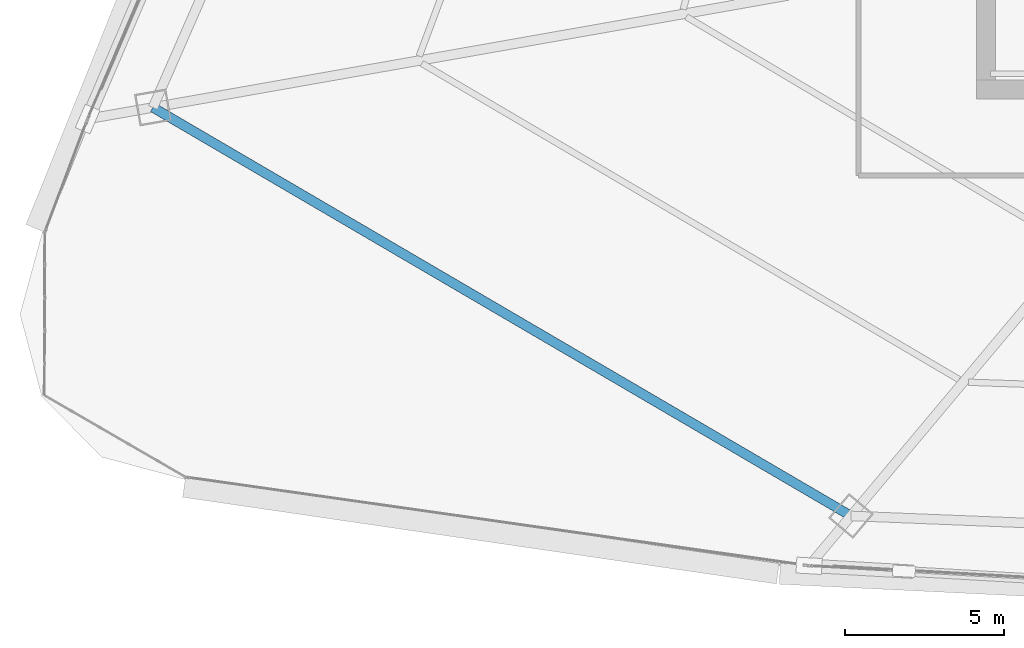
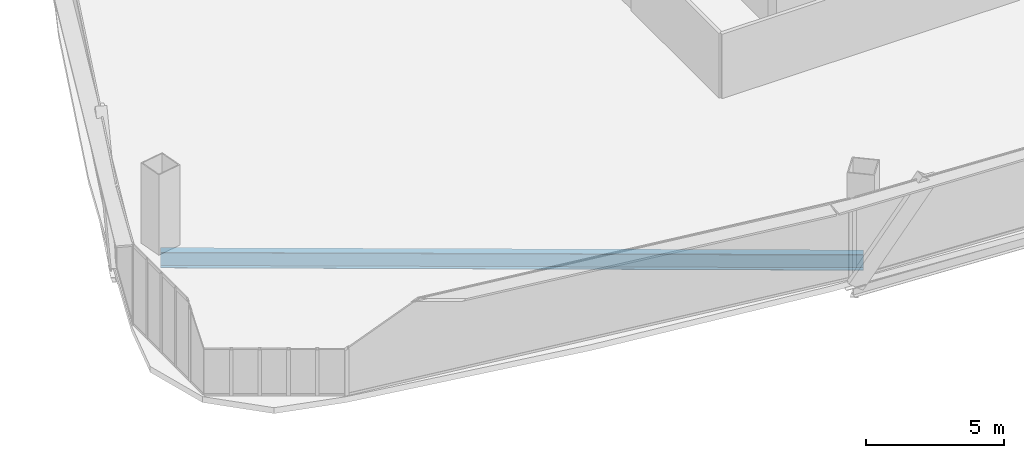
# One storey, part 5 of 39: 1 beam.
"""IFC4 building model written with IfcOpenShell, lengths in metres."""

from ifc_helpers import new_model, si_unit, direction, frame, origin, origin_2d, place, context, subcontext, project, spatial, i_section, extrude, source, transform, mapped, material, material_profile, profile_set, type_object, element, save


model = new_model("IFC4")

# Units and contexts
model_context = context("Model", 3, precision=1e-05, world=origin(), true_north=direction((0.0, 1.0)))
body_context = subcontext(model_context, "Body", "Model", "MODEL_VIEW")
ifc_project = project(units=[si_unit("LENGTHUNIT", "METRE"), si_unit("AREAUNIT", "SQUARE_METRE"), si_unit("VOLUMEUNIT", "CUBIC_METRE"), si_unit("PLANEANGLEUNIT", "RADIAN"), si_unit("MASSUNIT", "GRAM", prefix="KILO"), si_unit("THERMODYNAMICTEMPERATUREUNIT", "KELVIN"), si_unit("POWERUNIT", "WATT")], contexts=[model_context])

# Site, building, storey
site_placement = place(None, origin())
site = spatial("IfcSite", under=ifc_project, at=site_placement, CompositionType="ELEMENT")
building_placement = place(site_placement, origin())
building = spatial("IfcBuilding", under=site, at=building_placement, Name="Yunzhuo Pagoda Commons", CompositionType="ELEMENT")
storey_placement = place(building_placement, frame((0.0, 0.0, 96.3798828125)))
storey = spatial("IfcBuildingStorey", under=building, at=storey_placement, Name="L24", CompositionType="ELEMENT", Elevation=96.3798828125)

# Beam
ifc_material = material(Name="Structural steel Q355B", Category="steel")
ifc_material_profile = material_profile(ifc_material, i_section(OverallWidth=0.300048828125, OverallDepth=0.699951171875, WebThickness=0.012939453125, FlangeThickness=0.02392578125, at=origin_2d()), Name="Structural steel Q355B")
ifc_profile_set = profile_set([ifc_material_profile], Name="Structural steel Q355B")
beam_type = type_object("IfcBeamType", Name="B-RG1 Beam HN 700x300x13x24", PredefinedType="BEAM", material=ifc_profile_set)
shared_shape = source(origin(), body_context, "Body", "SweptSolid", [
    extrude(i_section(OverallWidth=0.300048828125, OverallDepth=0.699951171875, WebThickness=0.012939453125, FlangeThickness=0.02392578125, at=origin_2d()), origin(), (0.0, 0.0, 1.0), 25.3935546875),
])
beam_placement = place(storey_placement, frame((9.647216796875, 26.9375, -0.609619140625), z_axis=(0.863085207128, -0.505058338449, 0.0), x_axis=(0.505058338449, 0.863085207128, 0.0)))
element("IfcBeam", 1, at=beam_placement, inside=storey, type_object=beam_type, Name="L24 column-ring beam 12", PredefinedType="BEAM", context=body_context, shape_type="MappedRepresentation", body=[
    mapped(shared_shape, transform((0.0, 0.0, 0.0), scale=1.0)),
])

save(model, "model.ifc")
